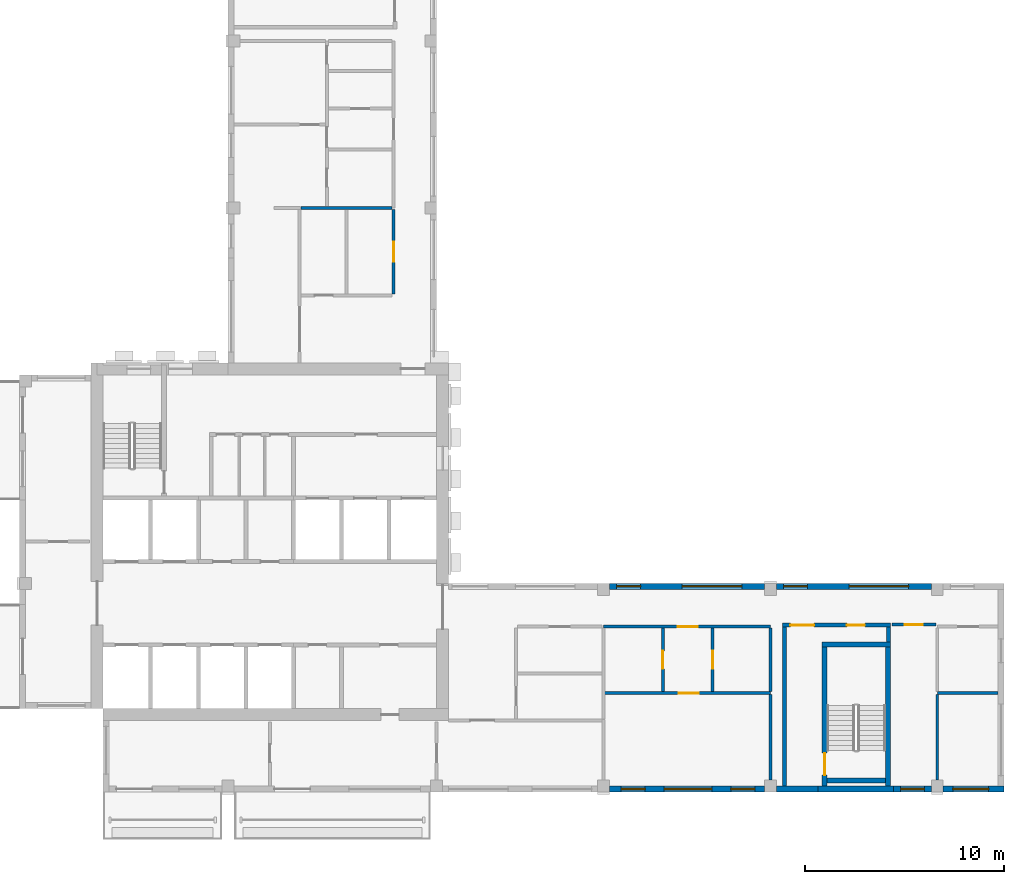
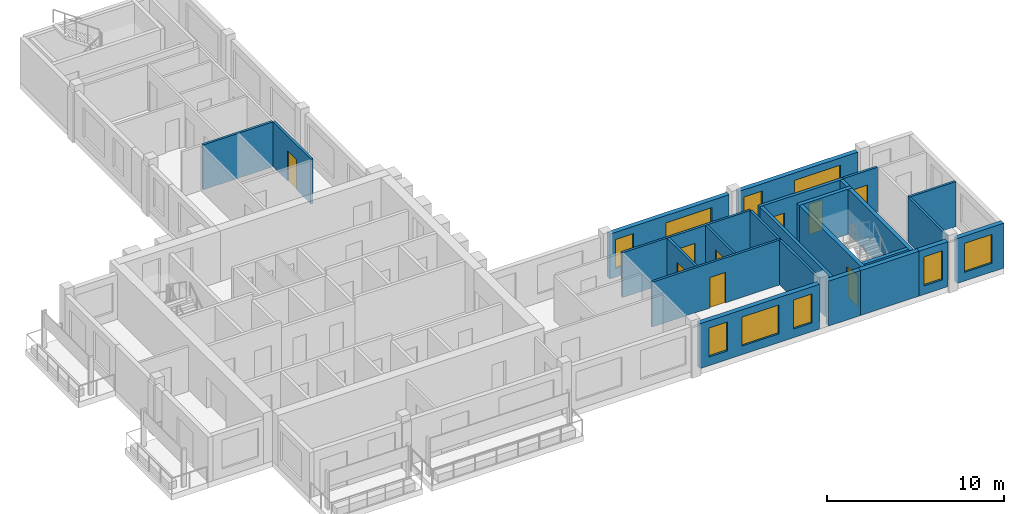
# One storey, part 4 of 10: 25 walls, 9 doors, 9 windows, 18 openings.
"""IFC4 building model written with IfcOpenShell, lengths in metres."""

from ifc_helpers import new_model, si_unit, direction, frame, frame_2d, origin, place, context, subcontext, project, spatial, rectangle, extrude, source, transform, mapped, material, layer, layer_set, type_object, element, fill, save


model = new_model("IFC4")

# Units and contexts
model_context = context("Model", 3, precision=1e-05, world=origin(), true_north=direction((0.0, 1.0)))
body_context = subcontext(model_context, "Body", "Model", "MODEL_VIEW")
ifc_project = project(units=[si_unit("LENGTHUNIT", "METRE"), si_unit("AREAUNIT", "SQUARE_METRE"), si_unit("VOLUMEUNIT", "CUBIC_METRE"), si_unit("PLANEANGLEUNIT", "RADIAN"), si_unit("MASSUNIT", "GRAM", prefix="KILO")], contexts=[model_context])

# Site, building, storey
site_placement = place(None, origin())
site = spatial("IfcSite", under=ifc_project, at=site_placement, CompositionType="ELEMENT")
building_placement = place(site_placement, origin())
building = spatial("IfcBuilding", under=site, at=building_placement, Name="Aurelian Terraces", CompositionType="ELEMENT")
storey_placement = place(building_placement, frame((0.0, 0.0, 361.5)))
storey = spatial("IfcBuildingStorey", under=building, at=storey_placement, Name="L86", CompositionType="ELEMENT", Elevation=361.5)

# Walls
ifc_material_1 = material(Name="Concrete fc' 40 MPa", Category="concrete")
ifc_layer_1 = layer(ifc_material_1, 0.3)
ifc_layer_set_1 = layer_set([ifc_layer_1], Name="STAIR BAY WALL 300")
wall_type_1 = type_object("IfcWallType", Name="STAIR BAY WALL 300", PredefinedType="SOLIDWALL", material=ifc_layer_set_1)
shared_shape_1 = source(origin(), body_context, "Body", "SweptSolid", [
    extrude(rectangle(XDim=3.8, YDim=0.3, at=frame_2d((1.9, 0.0))), origin(), (0.0, 0.0, 1.0), 3.1),
])
wall_1_placement = place(storey_placement, frame((40.2, 0.15, 0.0), z_axis=(0.0, 0.0, 1.0), x_axis=(1.0, 0.0, 0.0)))
element("IfcWall", 1, at=wall_1_placement, inside=storey, type_object=wall_type_1, Name="Stair bay wall L86 F01.5", PredefinedType="SOLIDWALL", context=body_context, shape_type="MappedRepresentation", body=[
    mapped(shared_shape_1, transform((0.0, 0.0, 0.0), scale=1.0)),
])
ifc_material_2 = material(Name="Terracotta rainscreen cladding", Category="masonry")
ifc_layer_2 = layer(ifc_material_2, 0.3)
ifc_layer_set_2 = layer_set([ifc_layer_2], Name="EW-300")
wall_type_2 = type_object("IfcWallType", Name="EW-300", PredefinedType="STANDARD", material=ifc_layer_set_2)
shared_shape_2 = source(origin(), body_context, "Body", "SweptSolid", [
    extrude(rectangle(XDim=2.1, YDim=0.3, at=frame_2d((1.05, 0.0))), origin(), (0.0, 0.0, 1.0), 3.1),
])
wall_2_placement = place(storey_placement, frame((38.1, 0.15, 0.0), z_axis=(0.0, 0.0, 1.0), x_axis=(1.0, 0.0, 0.0)))
element("IfcWall", 2, at=wall_2_placement, inside=storey, type_object=wall_type_2, Name="External wall L86 F01.5", PredefinedType="STANDARD", context=body_context, shape_type="MappedRepresentation", body=[
    mapped(shared_shape_2, transform((0.0, 0.0, 0.0), scale=1.0)),
])

# Wall, opening, window
shared_shape_3 = source(origin(), body_context, "Body", "SweptSolid", [
    extrude(rectangle(XDim=1.9, YDim=0.3, at=frame_2d((0.95, 0.0))), origin(), (0.0, 0.0, 1.0), 3.1),
])
wall_3_placement = place(storey_placement, frame((44.0, 0.15, 0.0), z_axis=(0.0, 0.0, 1.0), x_axis=(1.0, 0.0, 0.0)))
wall_3 = element("IfcWall", 3, at=wall_3_placement, inside=storey, type_object=wall_type_2, Name="External wall L86 F01.5", PredefinedType="STANDARD", context=body_context, shape_type="MappedRepresentation", body=[
    mapped(shared_shape_3, transform((0.0, 0.0, 0.0), scale=1.0)),
])
shared_shape_4 = source(origin(), body_context, "Body", "SweptSolid", [
    extrude(rectangle(XDim=1.2, YDim=2.0, at=frame_2d((0.6, 1.0))), frame((0.0, 0.16, 0.0), z_axis=(0.0, -1.0, 0.0), x_axis=(1.0, 0.0, 0.0)), (0.0, 0.0, 1.0), 0.32),
])
opening_1_placement = place(wall_3_placement, frame((0.35, 0.0, 0.6)))
opening_1 = element("IfcOpeningElement", 4, at=opening_1_placement, cuts=wall_3, Name="Opening W1220", PredefinedType="OPENING", context=body_context, shape_type="MappedRepresentation", body=[
    mapped(shared_shape_4, transform((0.0, 0.0, 0.0), scale=1.0)),
])
ifc_material_3 = material(Name="Clear glazing", Category="glass")
window_type_1 = type_object("IfcWindowType", Name="W-1200x2000", PartitioningType="SINGLE_PANEL", PredefinedType="WINDOW", material=ifc_material_3)
shared_shape_5 = source(origin(), body_context, "Body", "SweptSolid", [
    extrude(rectangle(XDim=1.2, YDim=2.0, at=frame_2d((0.6, 1.0))), frame((0.0, 0.03, 0.0), z_axis=(0.0, -1.0, 0.0), x_axis=(1.0, 0.0, 0.0)), (0.0, 0.0, 1.0), 0.06),
])
window_1_placement = place(opening_1_placement, origin())
window_1 = element("IfcWindow", 5, at=window_1_placement, inside=storey, type_object=window_type_1, Name="Window L86 L86-F01-05-P2", OverallHeight=2.0, OverallWidth=1.2, PartitioningType="SINGLE_PANEL", PredefinedType="WINDOW", context=body_context, shape_type="MappedRepresentation", body=[
    mapped(shared_shape_5, transform((0.0, 0.0, 0.0), scale=1.0)),
])
fill(opening_1, window_1)

shared_shape_6 = source(origin(), body_context, "Body", "SweptSolid", [
    extrude(rectangle(XDim=3.06, YDim=0.3, at=frame_2d((1.53, 0.0))), origin(), (0.0, 0.0, 1.0), 3.1),
])
wall_4_placement = place(storey_placement, frame((46.5, 0.15, 0.0), z_axis=(0.0, 0.0, 1.0), x_axis=(1.0, 0.0, 0.0)))
wall_4 = element("IfcWall", 6, at=wall_4_placement, inside=storey, type_object=wall_type_2, Name="External wall L86 F01.6", PredefinedType="STANDARD", context=body_context, shape_type="MappedRepresentation", body=[
    mapped(shared_shape_6, transform((0.0, 0.0, 0.0), scale=1.0)),
])
shared_shape_7 = source(origin(), body_context, "Body", "SweptSolid", [
    extrude(rectangle(XDim=1.8, YDim=2.0, at=frame_2d((0.9, 1.0))), frame((0.0, 0.16, 0.0), z_axis=(0.0, -1.0, 0.0), x_axis=(1.0, 0.0, 0.0)), (0.0, 0.0, 1.0), 0.32),
])
opening_2_placement = place(wall_4_placement, frame((0.48, 0.0, 0.6)))
opening_2 = element("IfcOpeningElement", 7, at=opening_2_placement, cuts=wall_4, Name="Opening W1820", PredefinedType="OPENING", context=body_context, shape_type="MappedRepresentation", body=[
    mapped(shared_shape_7, transform((0.0, 0.0, 0.0), scale=1.0)),
])
window_type_2 = type_object("IfcWindowType", Name="W-1800x2000", PartitioningType="SINGLE_PANEL", PredefinedType="WINDOW", material=ifc_material_3)
shared_shape_8 = source(origin(), body_context, "Body", "SweptSolid", [
    extrude(rectangle(XDim=1.8, YDim=2.0, at=frame_2d((0.9, 1.0))), frame((0.0, 0.03, 0.0), z_axis=(0.0, -1.0, 0.0), x_axis=(1.0, 0.0, 0.0)), (0.0, 0.0, 1.0), 0.06),
])
window_2_placement = place(opening_2_placement, origin())
window_2 = element("IfcWindow", 8, at=window_2_placement, inside=storey, type_object=window_type_2, Name="Window L86 L86-F01-06-0", OverallHeight=2.0, OverallWidth=1.8, PartitioningType="SINGLE_PANEL", PredefinedType="WINDOW", context=body_context, shape_type="MappedRepresentation", body=[
    mapped(shared_shape_8, transform((0.0, 0.0, 0.0), scale=1.0)),
])
fill(opening_2, window_2)

# Wall, openings, windows
shared_shape_9 = source(origin(), body_context, "Body", "SweptSolid", [
    extrude(rectangle(XDim=7.8, YDim=0.3, at=frame_2d((3.9, 0.0))), origin(), (0.0, 0.0, 1.0), 3.1),
])
wall_5_placement = place(storey_placement, frame((29.7, 0.15, 0.0), z_axis=(0.0, 0.0, 1.0), x_axis=(1.0, 0.0, 0.0)))
wall_5 = element("IfcWall", 9, at=wall_5_placement, inside=storey, type_object=wall_type_2, Name="External wall L86 F01.4", PredefinedType="STANDARD", context=body_context, shape_type="MappedRepresentation", body=[
    mapped(shared_shape_9, transform((0.0, 0.0, 0.0), scale=1.0)),
])
opening_3_placement = place(wall_5_placement, frame((0.5875, 0.0, 0.6)))
opening_3 = element("IfcOpeningElement", 10, at=opening_3_placement, cuts=wall_5, Name="Opening W1220", PredefinedType="OPENING", context=body_context, shape_type="MappedRepresentation", body=[
    mapped(shared_shape_4, transform((0.0, 0.0, 0.0), scale=1.0)),
])
opening_4_placement = place(wall_5_placement, frame((6.1125, 0.0, 0.6)))
opening_4 = element("IfcOpeningElement", 11, at=opening_4_placement, cuts=wall_5, Name="Opening W1220", PredefinedType="OPENING", context=body_context, shape_type="MappedRepresentation", body=[
    mapped(shared_shape_4, transform((0.0, 0.0, 0.0), scale=1.0)),
])
shared_shape_10 = source(origin(), body_context, "Body", "SweptSolid", [
    extrude(rectangle(XDim=2.4, YDim=2.0, at=frame_2d((1.2, 1.0))), frame((0.0, 0.16, 0.0), z_axis=(0.0, -1.0, 0.0), x_axis=(1.0, 0.0, 0.0)), (0.0, 0.0, 1.0), 0.32),
])
opening_5_placement = place(wall_5_placement, frame((2.75, 0.0, 0.6)))
opening_5 = element("IfcOpeningElement", 12, at=opening_5_placement, cuts=wall_5, Name="Opening W2420", PredefinedType="OPENING", context=body_context, shape_type="MappedRepresentation", body=[
    mapped(shared_shape_10, transform((0.0, 0.0, 0.0), scale=1.0)),
])
window_3_placement = place(opening_3_placement, origin())
window_3 = element("IfcWindow", 13, at=window_3_placement, inside=storey, type_object=window_type_1, Name="Window L86 L86-F01-04-0", OverallHeight=2.0, OverallWidth=1.2, PartitioningType="SINGLE_PANEL", PredefinedType="WINDOW", context=body_context, shape_type="MappedRepresentation", body=[
    mapped(shared_shape_5, transform((0.0, 0.0, 0.0), scale=1.0)),
])
fill(opening_3, window_3)
window_4_placement = place(opening_4_placement, origin())
window_4 = element("IfcWindow", 14, at=window_4_placement, inside=storey, type_object=window_type_1, Name="Window L86 L86-F01-04-1", OverallHeight=2.0, OverallWidth=1.2, PartitioningType="SINGLE_PANEL", PredefinedType="WINDOW", context=body_context, shape_type="MappedRepresentation", body=[
    mapped(shared_shape_5, transform((0.0, 0.0, 0.0), scale=1.0)),
])
fill(opening_4, window_4)
window_type_3 = type_object("IfcWindowType", Name="W-2400x2000", PartitioningType="SINGLE_PANEL", PredefinedType="WINDOW", material=ifc_material_3)
shared_shape_11 = source(origin(), body_context, "Body", "SweptSolid", [
    extrude(rectangle(XDim=2.4, YDim=2.0, at=frame_2d((1.2, 1.0))), frame((0.0, 0.03, 0.0), z_axis=(0.0, -1.0, 0.0), x_axis=(1.0, 0.0, 0.0)), (0.0, 0.0, 1.0), 0.06),
])
window_5_placement = place(opening_5_placement, origin())
window_5 = element("IfcWindow", 15, at=window_5_placement, inside=storey, type_object=window_type_3, Name="Window L86 L86-F01-04-G0-21", OverallHeight=2.0, OverallWidth=2.4, PartitioningType="SINGLE_PANEL", PredefinedType="WINDOW", context=body_context, shape_type="MappedRepresentation", body=[
    mapped(shared_shape_11, transform((0.0, 0.0, 0.0), scale=1.0)),
])
fill(opening_5, window_5)

wall_6_placement = place(storey_placement, frame((45.9, 10.35, 0.0), z_axis=(0.0, 0.0, 1.0), x_axis=(-1.0, 0.0, 0.0)))
wall_6 = element("IfcWall", 16, at=wall_6_placement, inside=storey, type_object=wall_type_2, Name="External wall L86 F03.8", PredefinedType="STANDARD", context=body_context, shape_type="MappedRepresentation", body=[
    mapped(shared_shape_9, transform((0.0, 0.0, 0.0), scale=1.0)),
])
shared_shape_12 = source(origin(), body_context, "Body", "SweptSolid", [
    extrude(rectangle(XDim=3.0, YDim=2.0, at=frame_2d((1.5, 1.0))), frame((0.0, 0.16, 0.0), z_axis=(0.0, -1.0, 0.0), x_axis=(1.0, 0.0, 0.0)), (0.0, 0.0, 1.0), 0.32),
])
opening_6_placement = place(wall_6_placement, frame((1.14, 0.0, 0.6)))
opening_6 = element("IfcOpeningElement", 17, at=opening_6_placement, cuts=wall_6, Name="Opening W3020", PredefinedType="OPENING", context=body_context, shape_type="MappedRepresentation", body=[
    mapped(shared_shape_12, transform((0.0, 0.0, 0.0), scale=1.0)),
])
opening_7_placement = place(wall_6_placement, frame((6.24, 0.0, 0.6)))
opening_7 = element("IfcOpeningElement", 18, at=opening_7_placement, cuts=wall_6, Name="Opening W1220", PredefinedType="OPENING", context=body_context, shape_type="MappedRepresentation", body=[
    mapped(shared_shape_4, transform((0.0, 0.0, 0.0), scale=1.0)),
])
window_type_4 = type_object("IfcWindowType", Name="W-3000x2000", PartitioningType="SINGLE_PANEL", PredefinedType="WINDOW", material=ifc_material_3)
shared_shape_13 = source(origin(), body_context, "Body", "SweptSolid", [
    extrude(rectangle(XDim=3.0, YDim=2.0, at=frame_2d((1.5, 1.0))), frame((0.0, 0.03, 0.0), z_axis=(0.0, -1.0, 0.0), x_axis=(1.0, 0.0, 0.0)), (0.0, 0.0, 1.0), 0.06),
])
window_6_placement = place(opening_6_placement, origin())
window_6 = element("IfcWindow", 19, at=window_6_placement, inside=storey, type_object=window_type_4, Name="Window L86 L86-F03-08-1", OverallHeight=2.0, OverallWidth=3.0, PartitioningType="SINGLE_PANEL", PredefinedType="WINDOW", context=body_context, shape_type="MappedRepresentation", body=[
    mapped(shared_shape_13, transform((0.0, 0.0, 0.0), scale=1.0)),
])
fill(opening_6, window_6)
window_7_placement = place(opening_7_placement, origin())
window_7 = element("IfcWindow", 20, at=window_7_placement, inside=storey, type_object=window_type_1, Name="Window L86 L86-F03-08-2", OverallHeight=2.0, OverallWidth=1.2, PartitioningType="SINGLE_PANEL", PredefinedType="WINDOW", context=body_context, shape_type="MappedRepresentation", body=[
    mapped(shared_shape_5, transform((0.0, 0.0, 0.0), scale=1.0)),
])
fill(opening_7, window_7)

wall_7_placement = place(storey_placement, frame((37.5, 10.35, 0.0), z_axis=(0.0, 0.0, 1.0), x_axis=(-1.0, 0.0, 0.0)))
wall_7 = element("IfcWall", 21, at=wall_7_placement, inside=storey, type_object=wall_type_2, Name="External wall L86 F03.8", PredefinedType="STANDARD", context=body_context, shape_type="MappedRepresentation", body=[
    mapped(shared_shape_9, transform((0.0, 0.0, 0.0), scale=1.0)),
])
opening_8_placement = place(wall_7_placement, frame((1.14, 0.0, 0.6)))
opening_8 = element("IfcOpeningElement", 22, at=opening_8_placement, cuts=wall_7, Name="Opening W3020", PredefinedType="OPENING", context=body_context, shape_type="MappedRepresentation", body=[
    mapped(shared_shape_12, transform((0.0, 0.0, 0.0), scale=1.0)),
])
opening_9_placement = place(wall_7_placement, frame((6.24, 0.0, 0.6)))
opening_9 = element("IfcOpeningElement", 23, at=opening_9_placement, cuts=wall_7, Name="Opening W1220", PredefinedType="OPENING", context=body_context, shape_type="MappedRepresentation", body=[
    mapped(shared_shape_4, transform((0.0, 0.0, 0.0), scale=1.0)),
])
window_8_placement = place(opening_8_placement, origin())
window_8 = element("IfcWindow", 24, at=window_8_placement, inside=storey, type_object=window_type_4, Name="Window L86 L86-F03-08-3", OverallHeight=2.0, OverallWidth=3.0, PartitioningType="SINGLE_PANEL", PredefinedType="WINDOW", context=body_context, shape_type="MappedRepresentation", body=[
    mapped(shared_shape_13, transform((0.0, 0.0, 0.0), scale=1.0)),
])
fill(opening_8, window_8)
window_9_placement = place(opening_9_placement, origin())
window_9 = element("IfcWindow", 25, at=window_9_placement, inside=storey, type_object=window_type_1, Name="Window L86 L86-F03-08-4", OverallHeight=2.0, OverallWidth=1.2, PartitioningType="SINGLE_PANEL", PredefinedType="WINDOW", context=body_context, shape_type="MappedRepresentation", body=[
    mapped(shared_shape_5, transform((0.0, 0.0, 0.0), scale=1.0)),
])
fill(opening_9, window_9)

# Wall, opening, door
ifc_layer_3 = layer(ifc_material_1, 0.25)
ifc_layer_set_3 = layer_set([ifc_layer_3], Name="Stair enclosure wall 250")
wall_type_3 = type_object("IfcWallType", Name="Stair enclosure wall 250", PredefinedType="SOLIDWALL", material=ifc_layer_set_3)
shared_shape_14 = source(origin(), body_context, "Body", "SweptSolid", [
    extrude(rectangle(XDim=7.0, YDim=0.25, at=frame_2d((3.5, 0.0))), origin(), (0.0, 0.0, 1.0), 3.1),
])
wall_8_placement = place(storey_placement, frame((40.525, 0.3, 0.0), z_axis=(0.0, 0.0, 1.0), x_axis=(0.0, 1.0, 0.0)))
wall_8 = element("IfcWall", 26, at=wall_8_placement, inside=storey, type_object=wall_type_3, Name="L86 core wall ST-S2-W", PredefinedType="SOLIDWALL", context=body_context, shape_type="MappedRepresentation", body=[
    mapped(shared_shape_14, transform((0.0, 0.0, 0.0), scale=1.0)),
])
shared_shape_15 = source(origin(), body_context, "Body", "SweptSolid", [
    extrude(rectangle(XDim=1.1, YDim=2.1, at=frame_2d((0.55, 1.05))), frame((0.0, 0.135, 0.0), z_axis=(0.0, -1.0, 0.0), x_axis=(1.0, 0.0, 0.0)), (0.0, 0.0, 1.0), 0.27),
])
opening_10_placement = place(wall_8_placement, frame((0.55, 0.0, 0.0)))
opening_10 = element("IfcOpeningElement", 27, at=opening_10_placement, cuts=wall_8, Name="Opening 68918", PredefinedType="OPENING", context=body_context, shape_type="MappedRepresentation", body=[
    mapped(shared_shape_15, transform((0.0, 0.0, 0.0), scale=1.0)),
])
ifc_material_4 = material(Name="Steel door leaf", Category="steel")
door_type_1 = type_object("IfcDoorType", Name="Core fire door 1100x2100 right", OperationType="SINGLE_SWING_RIGHT", PredefinedType="DOOR", material=ifc_material_4)
shared_shape_16 = source(origin(), body_context, "Body", "SweptSolid", [
    extrude(rectangle(XDim=1.1, YDim=2.1, at=frame_2d((0.55, 1.05))), frame((0.0, 0.025, 0.0), z_axis=(0.0, -1.0, 0.0), x_axis=(1.0, 0.0, 0.0)), (0.0, 0.0, 1.0), 0.05),
])
door_1_placement = place(opening_10_placement, origin())
door_1 = element("IfcDoor", 28, at=door_1_placement, inside=storey, type_object=door_type_1, Name="Stair door 68918", OperationType="SINGLE_SWING_RIGHT", OverallHeight=2.1, OverallWidth=1.1, PredefinedType="DOOR", context=body_context, shape_type="MappedRepresentation", body=[
    mapped(shared_shape_16, transform((0.0, 0.0, 0.0), scale=1.0)),
])
fill(opening_10, door_1)

# Walls
wall_9_placement = place(storey_placement, frame((43.725, 0.3, 0.0), z_axis=(0.0, 0.0, 1.0), x_axis=(0.0, 1.0, 0.0)))
element("IfcWall", 29, at=wall_9_placement, inside=storey, type_object=wall_type_3, Name="L86 core wall ST-S2-E", PredefinedType="SOLIDWALL", context=body_context, shape_type="MappedRepresentation", body=[
    mapped(shared_shape_14, transform((0.0, 0.0, 0.0), scale=1.0)),
])
shared_shape_17 = source(origin(), body_context, "Body", "SweptSolid", [
    extrude(rectangle(XDim=3.45, YDim=0.25, at=frame_2d((1.725, 0.0))), origin(), (0.0, 0.0, 1.0), 3.1),
])
wall_10_placement = place(storey_placement, frame((40.4, 7.425, 0.0), z_axis=(0.0, 0.0, 1.0), x_axis=(1.0, 0.0, 0.0)))
element("IfcWall", 30, at=wall_10_placement, inside=storey, type_object=wall_type_3, Name="L86 core wall ST-S2-N", PredefinedType="SOLIDWALL", context=body_context, shape_type="MappedRepresentation", body=[
    mapped(shared_shape_17, transform((0.0, 0.0, 0.0), scale=1.0)),
])
ifc_material_5 = material(Name="Gypsum board on steel studs", Category="steel")
ifc_layer_4 = layer(ifc_material_5, 0.2)
ifc_layer_set_4 = layer_set([ifc_layer_4], Name="Core partition 200")
wall_type_4 = type_object("IfcWallType", Name="Core partition 200", PredefinedType="PARTITIONING", material=ifc_layer_set_4)
shared_shape_18 = source(origin(), body_context, "Body", "SweptSolid", [
    extrude(rectangle(XDim=8.0, YDim=0.2, at=frame_2d((4.0, 0.0))), origin(), (0.0, 0.0, 1.0), 3.1),
])
wall_11_placement = place(storey_placement, frame((38.5, 0.3, 0.0), z_axis=(0.0, 0.0, 1.0), x_axis=(0.0, 1.0, 0.0)))
element("IfcWall", 31, at=wall_11_placement, inside=storey, type_object=wall_type_4, Name="L86 core wall ST-S2-VW", PredefinedType="PARTITIONING", context=body_context, shape_type="MappedRepresentation", body=[
    mapped(shared_shape_18, transform((0.0, 0.0, 0.0), scale=1.0)),
])

# Wall, openings, doors
shared_shape_19 = source(origin(), body_context, "Body", "SweptSolid", [
    extrude(rectangle(XDim=5.45, YDim=0.2, at=frame_2d((2.725, 0.0))), origin(), (0.0, 0.0, 1.0), 3.1),
])
wall_12_placement = place(storey_placement, frame((38.4, 8.4, 0.0), z_axis=(0.0, 0.0, 1.0), x_axis=(1.0, 0.0, 0.0)))
wall_12 = element("IfcWall", 32, at=wall_12_placement, inside=storey, type_object=wall_type_4, Name="L86 core wall ST-S2-BN", PredefinedType="PARTITIONING", context=body_context, shape_type="MappedRepresentation", body=[
    mapped(shared_shape_19, transform((0.0, 0.0, 0.0), scale=1.0)),
])
shared_shape_20 = source(origin(), body_context, "Body", "SweptSolid", [
    extrude(rectangle(XDim=1.2, YDim=2.1, at=frame_2d((0.6, 1.05))), frame((0.0, 0.11, 0.0), z_axis=(0.0, -1.0, 0.0), x_axis=(1.0, 0.0, 0.0)), (0.0, 0.0, 1.0), 0.22),
])
opening_11_placement = place(wall_12_placement, frame((0.4, 0.0, 0.0)))
opening_11 = element("IfcOpeningElement", 33, at=opening_11_placement, cuts=wall_12, Name="Opening 68919", PredefinedType="OPENING", context=body_context, shape_type="MappedRepresentation", body=[
    mapped(shared_shape_20, transform((0.0, 0.0, 0.0), scale=1.0)),
])
shared_shape_21 = source(origin(), body_context, "Body", "SweptSolid", [
    extrude(rectangle(XDim=0.9, YDim=2.1, at=frame_2d((0.45, 1.05))), frame((0.0, 0.11, 0.0), z_axis=(0.0, -1.0, 0.0), x_axis=(1.0, 0.0, 0.0)), (0.0, 0.0, 1.0), 0.22),
])
opening_12_placement = place(wall_12_placement, frame((3.25, 0.0, 0.0)))
opening_12 = element("IfcOpeningElement", 34, at=opening_12_placement, cuts=wall_12, Name="Opening 68920", PredefinedType="OPENING", context=body_context, shape_type="MappedRepresentation", body=[
    mapped(shared_shape_21, transform((0.0, 0.0, 0.0), scale=1.0)),
])
door_type_2 = type_object("IfcDoorType", Name="Core riser door 900x2100 right", OperationType="SINGLE_SWING_RIGHT", PredefinedType="DOOR", material=ifc_material_4)
shared_shape_22 = source(origin(), body_context, "Body", "SweptSolid", [
    extrude(rectangle(XDim=0.9, YDim=2.1, at=frame_2d((0.45, 1.05))), frame((0.0, 0.025, 0.0), z_axis=(0.0, -1.0, 0.0), x_axis=(1.0, 0.0, 0.0)), (0.0, 0.0, 1.0), 0.05),
])
door_2_placement = place(opening_12_placement, origin())
door_2 = element("IfcDoor", 35, at=door_2_placement, inside=storey, type_object=door_type_2, Name="Riser door 68920", OperationType="SINGLE_SWING_RIGHT", OverallHeight=2.1, OverallWidth=0.9, PredefinedType="DOOR", context=body_context, shape_type="MappedRepresentation", body=[
    mapped(shared_shape_22, transform((0.0, 0.0, 0.0), scale=1.0)),
])
fill(opening_12, door_2)
door_type_3 = type_object("IfcDoorType", Name="Core fire door 1200x2100", OperationType="SINGLE_SWING_LEFT", PredefinedType="DOOR", material=ifc_material_4)
shared_shape_23 = source(origin(), body_context, "Body", "SweptSolid", [
    extrude(rectangle(XDim=1.2, YDim=2.1, at=frame_2d((0.6, 1.05))), frame((0.0, 0.025, 0.0), z_axis=(0.0, -1.0, 0.0), x_axis=(1.0, 0.0, 0.0)), (0.0, 0.0, 1.0), 0.05),
])
door_3_placement = place(opening_11_placement, origin())
door_3 = element("IfcDoor", 36, at=door_3_placement, inside=storey, type_object=door_type_3, Name="Vestibule door 68919", OperationType="SINGLE_SWING_LEFT", OverallHeight=2.1, OverallWidth=1.2, PredefinedType="DOOR", context=body_context, shape_type="MappedRepresentation", body=[
    mapped(shared_shape_23, transform((0.0, 0.0, 0.0), scale=1.0)),
])
fill(opening_11, door_3)

# Walls
shared_shape_24 = source(origin(), body_context, "Body", "SweptSolid", [
    extrude(rectangle(XDim=0.75, YDim=0.2, at=frame_2d((0.375, 0.0))), origin(), (0.0, 0.0, 1.0), 3.1),
])
wall_13_placement = place(storey_placement, frame((43.75, 7.55, 0.0), z_axis=(0.0, 0.0, 1.0), x_axis=(0.0, 1.0, 0.0)))
element("IfcWall", 37, at=wall_13_placement, inside=storey, type_object=wall_type_4, Name="L86 core wall ST-S2-RE", PredefinedType="PARTITIONING", context=body_context, shape_type="MappedRepresentation", body=[
    mapped(shared_shape_24, transform((0.0, 0.0, 0.0), scale=1.0)),
])
shared_shape_25 = source(origin(), body_context, "Body", "SweptSolid", [
    extrude(rectangle(XDim=2.95, YDim=0.25, at=frame_2d((1.475, 0.0))), origin(), (0.0, 0.0, 1.0), 3.1),
])
wall_14_placement = place(storey_placement, frame((40.65, 0.575, 0.0), z_axis=(0.0, 0.0, 1.0), x_axis=(1.0, 0.0, 0.0)))
element("IfcWall", 38, at=wall_14_placement, inside=storey, type_object=wall_type_3, Name="L86 core wall ST-S2-SS", PredefinedType="SOLIDWALL", context=body_context, shape_type="MappedRepresentation", body=[
    mapped(shared_shape_25, transform((0.0, 0.0, 0.0), scale=1.0)),
])
ifc_layer_5 = layer(ifc_material_5, 0.15)
ifc_layer_set_5 = layer_set([ifc_layer_5], Name="Partition 150")
wall_type_5 = type_object("IfcWallType", Name="Partition 150", PredefinedType="PARTITIONING", material=ifc_layer_set_5)
shared_shape_26 = source(origin(), body_context, "Body", "SweptSolid", [
    extrude(rectangle(XDim=4.575, YDim=0.15, at=frame_2d((2.2875, 0.0))), origin(), (0.0, 0.0, 1.0), 3.1),
])
wall_15_placement = place(storey_placement, frame((18.75, 29.4, 0.0), z_axis=(0.0, 0.0, 1.0), x_axis=(-1.0, 0.0, 0.0)))
element("IfcWall", 39, at=wall_15_placement, inside=storey, type_object=wall_type_5, Name="Partition", PredefinedType="PARTITIONING", context=body_context, shape_type="MappedRepresentation", body=[
    mapped(shared_shape_26, transform((0.0, 0.0, 0.0), scale=1.0)),
])

# Wall, opening, door
shared_shape_27 = source(origin(), body_context, "Body", "SweptSolid", [
    extrude(rectangle(XDim=3.2, YDim=0.15, at=frame_2d((1.6, 0.0))), origin(), (0.0, 0.0, 1.0), 3.1),
])
wall_16_placement = place(storey_placement, frame((32.3889, 5.05, 0.0), z_axis=(0.0, 0.0, 1.0), x_axis=(0.0, 1.0, 0.0)))
wall_16 = element("IfcWall", 40, at=wall_16_placement, inside=storey, type_object=wall_type_5, Name="Partition", PredefinedType="PARTITIONING", context=body_context, shape_type="MappedRepresentation", body=[
    mapped(shared_shape_27, transform((0.0, 0.0, 0.0), scale=1.0)),
])
shared_shape_28 = source(origin(), body_context, "Body", "SweptSolid", [
    extrude(rectangle(XDim=0.9, YDim=2.1, at=frame_2d((0.45, 1.05))), frame((0.0, 0.085, 0.0), z_axis=(0.0, -1.0, 0.0), x_axis=(1.0, 0.0, 0.0)), (0.0, 0.0, 1.0), 0.17),
])
opening_13_placement = place(wall_16_placement, frame((1.15, 0.0, 0.0)))
opening_13 = element("IfcOpeningElement", 41, at=opening_13_placement, cuts=wall_16, Name="Opening 786009", PredefinedType="OPENING", context=body_context, shape_type="MappedRepresentation", body=[
    mapped(shared_shape_28, transform((0.0, 0.0, 0.0), scale=1.0)),
])
ifc_material_6 = material(Name="Timber door leaf", Category="wood")
door_type_4 = type_object("IfcDoorType", Name="Room door 900x2100 left", OperationType="SINGLE_SWING_LEFT", PredefinedType="DOOR", material=ifc_material_6)
door_4_placement = place(opening_13_placement, origin())
door_4 = element("IfcDoor", 42, at=door_4_placement, inside=storey, type_object=door_type_4, Name="Door 786009", OperationType="SINGLE_SWING_LEFT", OverallHeight=2.1, OverallWidth=0.9, PredefinedType="DOOR", context=body_context, shape_type="MappedRepresentation", body=[
    mapped(shared_shape_22, transform((0.0, 0.0, 0.0), scale=1.0)),
])
fill(opening_13, door_4)

wall_17_placement = place(storey_placement, frame((34.8952, 5.05, 0.0), z_axis=(0.0, 0.0, 1.0), x_axis=(0.0, 1.0, 0.0)))
wall_17 = element("IfcWall", 43, at=wall_17_placement, inside=storey, type_object=wall_type_5, Name="Partition", PredefinedType="PARTITIONING", context=body_context, shape_type="MappedRepresentation", body=[
    mapped(shared_shape_27, transform((0.0, 0.0, 0.0), scale=1.0)),
])
opening_14_placement = place(wall_17_placement, frame((1.15, 0.0, 0.0)))
opening_14 = element("IfcOpeningElement", 44, at=opening_14_placement, cuts=wall_17, Name="Opening 786010", PredefinedType="OPENING", context=body_context, shape_type="MappedRepresentation", body=[
    mapped(shared_shape_28, transform((0.0, 0.0, 0.0), scale=1.0)),
])
door_type_5 = type_object("IfcDoorType", Name="Room door 900x2100 right", OperationType="SINGLE_SWING_RIGHT", PredefinedType="DOOR", material=ifc_material_6)
door_5_placement = place(opening_14_placement, origin())
door_5 = element("IfcDoor", 45, at=door_5_placement, inside=storey, type_object=door_type_5, Name="Door 786010", OperationType="SINGLE_SWING_RIGHT", OverallHeight=2.1, OverallWidth=0.9, PredefinedType="DOOR", context=body_context, shape_type="MappedRepresentation", body=[
    mapped(shared_shape_22, transform((0.0, 0.0, 0.0), scale=1.0)),
])
fill(opening_14, door_5)

# Wall
ifc_layer_6 = layer(ifc_material_5, 0.15)
ifc_layer_set_6 = layer_set([ifc_layer_6], Name="Fire partition 150")
wall_type_6 = type_object("IfcWallType", Name="Fire partition 150", PredefinedType="PARTITIONING", material=ifc_layer_set_6)
wall_18_placement = place(storey_placement, frame((37.8, 5.05, 0.0), z_axis=(0.0, 0.0, 1.0), x_axis=(0.0, 1.0, 0.0)))
element("IfcWall", 46, at=wall_18_placement, inside=storey, type_object=wall_type_6, Name="Party wall", PredefinedType="PARTITIONING", context=body_context, shape_type="MappedRepresentation", body=[
    mapped(shared_shape_27, transform((0.0, 0.0, 0.0), scale=1.0)),
])

# Wall, opening, door
shared_shape_29 = source(origin(), body_context, "Body", "SweptSolid", [
    extrude(rectangle(XDim=8.4, YDim=0.15, at=frame_2d((4.2, 0.0))), origin(), (0.0, 0.0, 1.0), 3.1),
])
wall_19_placement = place(storey_placement, frame((37.8, 4.975, 0.0), z_axis=(0.0, 0.0, 1.0), x_axis=(-1.0, 0.0, 0.0)))
wall_19 = element("IfcWall", 47, at=wall_19_placement, inside=storey, type_object=wall_type_5, Name="Partition", PredefinedType="PARTITIONING", context=body_context, shape_type="MappedRepresentation", body=[
    mapped(shared_shape_29, transform((0.0, 0.0, 0.0), scale=1.0)),
])
shared_shape_30 = source(origin(), body_context, "Body", "SweptSolid", [
    extrude(rectangle(XDim=1.0, YDim=2.1, at=frame_2d((0.5, 1.05))), frame((0.0, 0.085, 0.0), z_axis=(0.0, -1.0, 0.0), x_axis=(1.0, 0.0, 0.0)), (0.0, 0.0, 1.0), 0.17),
])
opening_15_placement = place(wall_19_placement, frame((3.608, 0.0, 0.0)))
opening_15 = element("IfcOpeningElement", 48, at=opening_15_placement, cuts=wall_19, Name="Opening 786008", PredefinedType="OPENING", context=body_context, shape_type="MappedRepresentation", body=[
    mapped(shared_shape_30, transform((0.0, 0.0, 0.0), scale=1.0)),
])
door_type_6 = type_object("IfcDoorType", Name="Room door 1000x2100 right", OperationType="SINGLE_SWING_RIGHT", PredefinedType="DOOR", material=ifc_material_6)
shared_shape_31 = source(origin(), body_context, "Body", "SweptSolid", [
    extrude(rectangle(XDim=1.0, YDim=2.1, at=frame_2d((0.5, 1.05))), frame((0.0, 0.025, 0.0), z_axis=(0.0, -1.0, 0.0), x_axis=(1.0, 0.0, 0.0)), (0.0, 0.0, 1.0), 0.05),
])
door_6_placement = place(opening_15_placement, origin())
door_6 = element("IfcDoor", 49, at=door_6_placement, inside=storey, type_object=door_type_6, Name="Door 786008", OperationType="SINGLE_SWING_RIGHT", OverallHeight=2.1, OverallWidth=1.0, PredefinedType="DOOR", context=body_context, shape_type="MappedRepresentation", body=[
    mapped(shared_shape_31, transform((0.0, 0.0, 0.0), scale=1.0)),
])
fill(opening_15, door_6)

wall_20_placement = place(storey_placement, frame((37.8, 8.325, 0.0), z_axis=(0.0, 0.0, 1.0), x_axis=(-1.0, 0.0, 0.0)))
wall_20 = element("IfcWall", 50, at=wall_20_placement, inside=storey, type_object=wall_type_6, Name="Corridor wall", PredefinedType="PARTITIONING", context=body_context, shape_type="MappedRepresentation", body=[
    mapped(shared_shape_29, transform((0.0, 0.0, 0.0), scale=1.0)),
])
opening_16_placement = place(wall_20_placement, frame((3.658, 0.0, 0.0)))
opening_16 = element("IfcOpeningElement", 51, at=opening_16_placement, cuts=wall_20, Name="Opening 786007", PredefinedType="OPENING", context=body_context, shape_type="MappedRepresentation", body=[
    mapped(shared_shape_30, transform((0.0, 0.0, 0.0), scale=1.0)),
])
door_type_7 = type_object("IfcDoorType", Name="Entrance fire door 1000x2100 left", OperationType="SINGLE_SWING_LEFT", PredefinedType="DOOR", material=ifc_material_4)
door_7_placement = place(opening_16_placement, origin())
door_7 = element("IfcDoor", 52, at=door_7_placement, inside=storey, type_object=door_type_7, Name="Door 786007", OperationType="SINGLE_SWING_LEFT", OverallHeight=2.1, OverallWidth=1.0, PredefinedType="DOOR", context=body_context, shape_type="MappedRepresentation", body=[
    mapped(shared_shape_31, transform((0.0, 0.0, 0.0), scale=1.0)),
])
fill(opening_16, door_7)

# Wall
shared_shape_32 = source(origin(), body_context, "Body", "SweptSolid", [
    extrude(rectangle(XDim=3.06, YDim=0.15, at=frame_2d((1.53, 0.0))), origin(), (0.0, 0.0, 1.0), 3.1),
])
wall_21_placement = place(storey_placement, frame((49.26, 4.975, 0.0), z_axis=(0.0, 0.0, 1.0), x_axis=(-1.0, 0.0, 0.0)))
element("IfcWall", 53, at=wall_21_placement, inside=storey, type_object=wall_type_5, Name="Partition", PredefinedType="PARTITIONING", context=body_context, shape_type="MappedRepresentation", body=[
    mapped(shared_shape_32, transform((0.0, 0.0, 0.0), scale=1.0)),
])

# Wall, opening, door
shared_shape_33 = source(origin(), body_context, "Body", "SweptSolid", [
    extrude(rectangle(XDim=2.2, YDim=0.15, at=frame_2d((1.1, 0.0))), origin(), (0.0, 0.0, 1.0), 3.1),
])
wall_22_placement = place(storey_placement, frame((46.125, 8.425, 0.0), z_axis=(0.0, 0.0, 1.0), x_axis=(-1.0, 0.0, 0.0)))
wall_22 = element("IfcWall", 54, at=wall_22_placement, inside=storey, type_object=wall_type_5, Name="Partition", PredefinedType="PARTITIONING", context=body_context, shape_type="MappedRepresentation", body=[
    mapped(shared_shape_33, transform((0.0, 0.0, 0.0), scale=1.0)),
])
opening_17_placement = place(wall_22_placement, frame((0.65, 0.0, 0.0)))
opening_17 = element("IfcOpeningElement", 55, at=opening_17_placement, cuts=wall_22, Name="Opening 786006", PredefinedType="OPENING", context=body_context, shape_type="MappedRepresentation", body=[
    mapped(shared_shape_28, transform((0.0, 0.0, 0.0), scale=1.0)),
])
door_8_placement = place(opening_17_placement, origin())
door_8 = element("IfcDoor", 56, at=door_8_placement, inside=storey, type_object=door_type_5, Name="Door 786006", OperationType="SINGLE_SWING_RIGHT", OverallHeight=2.1, OverallWidth=0.9, PredefinedType="DOOR", context=body_context, shape_type="MappedRepresentation", body=[
    mapped(shared_shape_22, transform((0.0, 0.0, 0.0), scale=1.0)),
])
fill(opening_17, door_8)

# Walls
shared_shape_34 = source(origin(), body_context, "Body", "SweptSolid", [
    extrude(rectangle(XDim=4.301, YDim=0.15, at=frame_2d((2.1505, 0.0))), origin(), (0.0, 0.0, 1.0), 3.1),
])
for number, where, z_axis, x_axis, name in (
    (57, (37.8, 0.599, 0.0), (0.0, 0.0, 1.0), (0.0, 1.0, 0.0), "Party wall"),
    (58, (46.2, 0.599, 0.0), (0.0, 0.0, 1.0), (0.0, 1.0, 0.0), "Party wall"),
):
    element("IfcWall", number, at=place(storey_placement, frame(where, z_axis=z_axis, x_axis=x_axis)), inside=storey, type_object=wall_type_6, Name=name, PredefinedType="PARTITIONING", context=body_context, shape_type="MappedRepresentation", body=[
        mapped(shared_shape_34, transform((0.0, 0.0, 0.0), scale=1.0)),
    ])

# Wall, opening, door
shared_shape_35 = source(origin(), body_context, "Body", "SweptSolid", [
    extrude(rectangle(XDim=4.25, YDim=0.15, at=frame_2d((2.125, 0.0))), origin(), (0.0, 0.0, 1.0), 3.1),
])
wall_23_placement = place(storey_placement, frame((18.825, 25.075, 0.0), z_axis=(0.0, 0.0, 1.0), x_axis=(0.0, 1.0, 0.0)))
wall_23 = element("IfcWall", 59, at=wall_23_placement, inside=storey, type_object=wall_type_6, Name="Corridor wall", PredefinedType="PARTITIONING", context=body_context, shape_type="MappedRepresentation", body=[
    mapped(shared_shape_35, transform((0.0, 0.0, 0.0), scale=1.0)),
])
opening_18_placement = place(wall_23_placement, frame((1.625, 0.0, 0.0)))
opening_18 = element("IfcOpeningElement", 60, at=opening_18_placement, cuts=wall_23, Name="Opening 786012", PredefinedType="OPENING", context=body_context, shape_type="MappedRepresentation", body=[
    mapped(shared_shape_30, transform((0.0, 0.0, 0.0), scale=1.0)),
])
door_9_placement = place(opening_18_placement, origin())
door_9 = element("IfcDoor", 61, at=door_9_placement, inside=storey, type_object=door_type_7, Name="Door 786012", OperationType="SINGLE_SWING_LEFT", OverallHeight=2.1, OverallWidth=1.0, PredefinedType="DOOR", context=body_context, shape_type="MappedRepresentation", body=[
    mapped(shared_shape_31, transform((0.0, 0.0, 0.0), scale=1.0)),
])
fill(opening_18, door_9)

save(model, "model.ifc")
